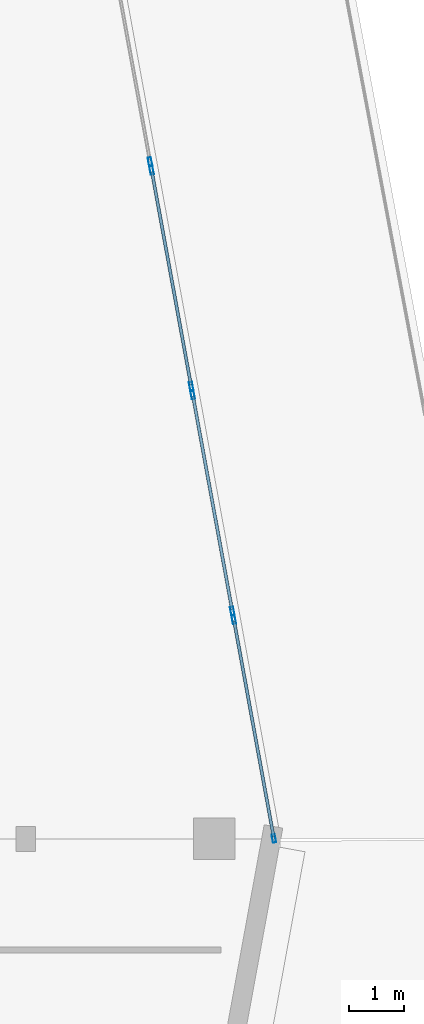
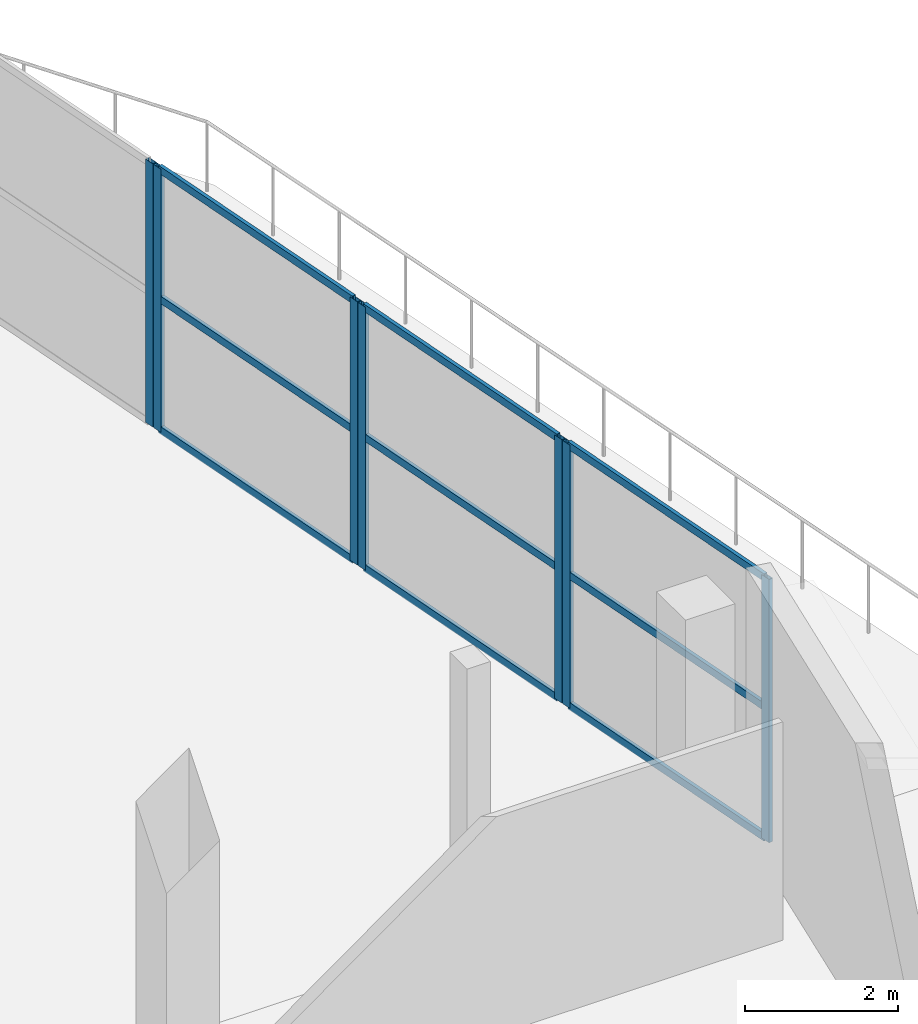
# One storey, part 54 of 107: 16 members, 4 elements without a shape of their own.
"""IFC4 building model written with IfcOpenShell, lengths in metres."""

from ifc_helpers import new_model, si_unit, direction, frame, origin, origin_2d, place, context, subcontext, project, spatial, hollow_rectangle, extrude, material, layer, layer_set, material_profile, profile_set, type_object, element, aggregate, save


model = new_model("IFC4")

# Units and contexts
model_context = context("Model", 3, precision=1e-05, world=origin(), true_north=direction((0.0, 1.0)))
body_context = subcontext(model_context, "Body", "Model", "MODEL_VIEW")
ifc_project = project(units=[si_unit("LENGTHUNIT", "METRE"), si_unit("AREAUNIT", "SQUARE_METRE"), si_unit("VOLUMEUNIT", "CUBIC_METRE"), si_unit("PLANEANGLEUNIT", "RADIAN"), si_unit("MASSUNIT", "GRAM", prefix="KILO")], contexts=[model_context])

# Site, building, storey
site_placement = place(None, origin())
site = spatial("IfcSite", under=ifc_project, at=site_placement, CompositionType="ELEMENT")
building_placement = place(site_placement, origin())
building = spatial("IfcBuilding", under=site, at=building_placement, Name="Kalgoora Escarpment Arena", CompositionType="ELEMENT")
storey_placement = place(building_placement, frame((0.0, 0.0, 5.39990234375)))
storey = spatial("IfcBuildingStorey", under=building, at=storey_placement, Name="L01", CompositionType="ELEMENT", Elevation=5.39990234375)

# Curtain wall, member
ifc_material_1 = material(Name=" Champagne anodised aluminium & double-glazed low-E", Category="aluminium")
ifc_layer_1 = layer(ifc_material_1, 0.166015625)
ifc_layer_set_1 = layer_set([ifc_layer_1], Name="CW-UNIT-14")
curtain_wall_type_1 = type_object("IfcCurtainWallType", Name="CW-UNIT-14", PredefinedType="NOTDEFINED", material=ifc_layer_set_1)
curtain_wall_1_placement = place(storey_placement, origin())
curtain_wall_1 = element("IfcCurtainWall", 1, at=curtain_wall_1_placement, inside=storey, type_object=curtain_wall_type_1, Name="L01 unitised facade curtain wall 033", PredefinedType="NOTDEFINED")
ifc_material_2 = material(Name="Anodised aluminium 6063-T6", Category="aluminium")
ifc_material_profile_1 = material_profile(ifc_material_2, hollow_rectangle(XDim=0.06005859375, YDim=0.14990234375, WallThickness=0.00341796875, at=origin_2d()))
ifc_profile_set_1 = profile_set([ifc_material_profile_1], Name="Anodised aluminium 6063-T6")
member_type_1 = type_object("IfcMemberType", Name="MEM-CW-MULL-150", PredefinedType="MULLION", material=ifc_profile_set_1)
member_1_placement = place(storey_placement, frame((177.044189453125, 76.208740234375, 0.02001953125), z_axis=(0.0, 0.0, 1.0), x_axis=(0.983670666616, 0.179977830966, 0.0)))
member_1 = element("IfcMember", 2, at=member_1_placement, type_object=member_type_1, Name="CW-14 mullion 2", PredefinedType="MULLION", context=body_context, shape_type="SweptSolid", body=[
    extrude(hollow_rectangle(XDim=0.06005859375, YDim=0.14990234375, WallThickness=0.00341796875, at=origin_2d()), origin(), (0.0, 0.0, 1.0), 4.190185546875),
])
aggregate(curtain_wall_1, [member_1])

# Curtain wall, members
ifc_material_3 = material(Name=" Champagne anodised aluminium & double-glazed low-E", Category="aluminium")
ifc_layer_2 = layer(ifc_material_3, 0.14990234375)
ifc_layer_set_2 = layer_set([ifc_layer_2], Name="CW-UNIT-15")
curtain_wall_type_2 = type_object("IfcCurtainWallType", Name="CW-UNIT-15", PredefinedType="NOTDEFINED", material=ifc_layer_set_2)
curtain_wall_2_placement = place(storey_placement, origin())
curtain_wall_2 = element("IfcCurtainWall", 3, at=curtain_wall_2_placement, inside=storey, type_object=curtain_wall_type_2, Name="L01 unitised facade curtain wall 034", PredefinedType="NOTDEFINED")
member_2_placement = place(storey_placement, frame((177.072998046875, 76.05126953125, 0.02001953125), z_axis=(0.0, 0.0, 1.0), x_axis=(0.983671388906, 0.179973883236, 0.0)))
member_2 = element("IfcMember", 4, at=member_2_placement, type_object=member_type_1, Name="CW-15 mullion 1", PredefinedType="MULLION", context=body_context, shape_type="SweptSolid", body=[
    extrude(hollow_rectangle(XDim=0.06005859375, YDim=0.14990234375, WallThickness=0.00341796875, at=origin_2d()), origin(), (0.0, 0.0, 1.0), 4.190185546875),
])
member_3_placement = place(storey_placement, frame((177.785400390625, 72.158203125, 0.02001953125), z_axis=(0.0, 0.0, 1.0), x_axis=(0.983671388906, 0.179973883236, 0.0)))
member_3 = element("IfcMember", 5, at=member_3_placement, type_object=member_type_1, Name="CW-15 mullion 2", PredefinedType="MULLION", context=body_context, shape_type="SweptSolid", body=[
    extrude(hollow_rectangle(XDim=0.06005859375, YDim=0.14990234375, WallThickness=0.00341796875, at=origin_2d()), origin(), (0.0, 0.0, 1.0), 4.190185546875),
])

ifc_material_4 = material(Name=" Champagne anodised aluminium & double-glazed low-E", Category="aluminium")
ifc_layer_3 = layer(ifc_material_4, 0.154052734375)
ifc_layer_set_3 = layer_set([ifc_layer_3], Name="CW-UNIT-16")
curtain_wall_type_3 = type_object("IfcCurtainWallType", Name="CW-UNIT-16", PredefinedType="NOTDEFINED", material=ifc_layer_set_3)
curtain_wall_3_placement = place(storey_placement, origin())
curtain_wall_3 = element("IfcCurtainWall", 6, at=curtain_wall_3_placement, inside=storey, type_object=curtain_wall_type_3, Name="L01 unitised facade curtain wall 035", PredefinedType="NOTDEFINED")
member_4_placement = place(storey_placement, frame((177.814208984375, 72.000732421875, 0.02001953125), z_axis=(0.0, 0.0, 1.0), x_axis=(0.983671388906, 0.179973883236, 0.0)))
member_4 = element("IfcMember", 7, at=member_4_placement, type_object=member_type_1, Name="CW-16 mullion 1", PredefinedType="MULLION", context=body_context, shape_type="SweptSolid", body=[
    extrude(hollow_rectangle(XDim=0.06005859375, YDim=0.14990234375, WallThickness=0.00341796875, at=origin_2d()), origin(), (0.0, 0.0, 1.0), 4.190185546875),
])
member_5_placement = place(storey_placement, frame((178.5263671875, 68.107666015625, 0.02001953125), z_axis=(0.0, 0.0, 1.0), x_axis=(0.983671388906, 0.179973883236, 0.0)))
member_5 = element("IfcMember", 8, at=member_5_placement, type_object=member_type_1, Name="CW-16 mullion 2", PredefinedType="MULLION", context=body_context, shape_type="SweptSolid", body=[
    extrude(hollow_rectangle(XDim=0.06005859375, YDim=0.14990234375, WallThickness=0.00341796875, at=origin_2d()), origin(), (0.0, 0.0, 1.0), 4.190185546875),
])

ifc_material_5 = material(Name=" Champagne anodised aluminium & double-glazed low-E", Category="aluminium")
ifc_layer_4 = layer(ifc_material_5, 0.157958984375)
ifc_layer_set_4 = layer_set([ifc_layer_4], Name="CW-UNIT-17")
curtain_wall_type_4 = type_object("IfcCurtainWallType", Name="CW-UNIT-17", PredefinedType="NOTDEFINED", material=ifc_layer_set_4)
curtain_wall_4_placement = place(storey_placement, origin())
curtain_wall_4 = element("IfcCurtainWall", 9, at=curtain_wall_4_placement, inside=storey, type_object=curtain_wall_type_4, Name="L01 unitised facade curtain wall 036", PredefinedType="NOTDEFINED")
member_6_placement = place(storey_placement, frame((178.55517578125, 67.9501953125, 0.02001953125), z_axis=(0.0, 0.0, 1.0), x_axis=(0.983666314062, 0.180001618268, 0.0)))
member_6 = element("IfcMember", 10, at=member_6_placement, type_object=member_type_1, Name="CW-17 mullion 1", PredefinedType="MULLION", context=body_context, shape_type="SweptSolid", body=[
    extrude(hollow_rectangle(XDim=0.06005859375, YDim=0.14990234375, WallThickness=0.00341796875, at=origin_2d()), origin(), (0.0, 0.0, 1.0), 4.190185546875),
])
member_7_placement = place(storey_placement, frame((179.276611328125, 64.0078125, 0.02001953125), z_axis=(0.0, 0.0, 1.0), x_axis=(0.983666314062, 0.180001618268, 0.0)))
member_7 = element("IfcMember", 11, at=member_7_placement, type_object=member_type_1, Name="CW-17 mullion 2", PredefinedType="MULLION", context=body_context, shape_type="SweptSolid", body=[
    extrude(hollow_rectangle(XDim=0.06005859375, YDim=0.14990234375, WallThickness=0.00341796875, at=origin_2d()), origin(), (0.0, 0.0, 1.0), 4.190185546875),
])

# Member
ifc_material_6 = material(Name="Anodised aluminium 6063-T6", Category="aluminium")
ifc_material_profile_2 = material_profile(ifc_material_6, hollow_rectangle(XDim=0.054931640625, YDim=0.1201171875, WallThickness=0.003173828125, at=origin_2d()))
ifc_profile_set_2 = profile_set([ifc_material_profile_2], Name="Anodised aluminium 6063-T6")
member_type_2 = type_object("IfcMemberType", Name="MEM-CW-TRAN-120", PredefinedType="USERDEFINED", material=ifc_profile_set_2)
member_8_placement = place(storey_placement, frame((177.078369140625, 76.021728515625, 0.047607421875), z_axis=(0.179949119171, -0.983675919452, 0.0), x_axis=(0.983675919452, 0.179949119171, 0.0)))
member_8 = element("IfcMember", 12, at=member_8_placement, type_object=member_type_2, Name="CW-15 transom 1.1", ObjectType="TRANSOM", PredefinedType="USERDEFINED", context=body_context, shape_type="SweptSolid", body=[
    extrude(hollow_rectangle(XDim=0.054931640625, YDim=0.1201171875, WallThickness=0.003173828125, at=origin_2d()), origin(), (0.0, 0.0, 1.0), 3.89794921875),
])

member_9_placement = place(storey_placement, frame((177.078369140625, 76.021728515625, 2.125), z_axis=(0.179949119171, -0.983675919452, 0.0), x_axis=(0.983675919452, 0.179949119171, 0.0)))
member_9 = element("IfcMember", 13, at=member_9_placement, type_object=member_type_2, Name="CW-15 transom 1.2", ObjectType="TRANSOM", PredefinedType="USERDEFINED", context=body_context, shape_type="SweptSolid", body=[
    extrude(hollow_rectangle(XDim=0.054931640625, YDim=0.1201171875, WallThickness=0.003173828125, at=origin_2d()), origin(), (0.0, 0.0, 1.0), 3.89794921875),
])

member_10_placement = place(storey_placement, frame((177.078369140625, 76.021728515625, 4.1826171875), z_axis=(0.179949119171, -0.983675919452, 0.0), x_axis=(0.983675919452, 0.179949119171, 0.0)))
member_10 = element("IfcMember", 14, at=member_10_placement, type_object=member_type_2, Name="CW-15 transom 1.3", ObjectType="TRANSOM", PredefinedType="USERDEFINED", context=body_context, shape_type="SweptSolid", body=[
    extrude(hollow_rectangle(XDim=0.054931640625, YDim=0.1201171875, WallThickness=0.003173828125, at=origin_2d()), origin(), (0.0, 0.0, 1.0), 3.89794921875),
])

aggregate(curtain_wall_2, [member_2, member_3, member_8, member_9, member_10])

member_11_placement = place(storey_placement, frame((177.819580078125, 71.97119140625, 0.047607421875), z_axis=(0.179960206889, -0.983673891051, 0.0), x_axis=(0.983673891051, 0.179960206889, 0.0)))
member_11 = element("IfcMember", 15, at=member_11_placement, type_object=member_type_2, Name="CW-16 transom 1.1", ObjectType="TRANSOM", PredefinedType="USERDEFINED", context=body_context, shape_type="SweptSolid", body=[
    extrude(hollow_rectangle(XDim=0.054931640625, YDim=0.1201171875, WallThickness=0.003173828125, at=origin_2d()), origin(), (0.0, 0.0, 1.0), 3.897705078125),
])

member_12_placement = place(storey_placement, frame((177.819580078125, 71.97119140625, 2.125), z_axis=(0.179960206889, -0.983673891051, 0.0), x_axis=(0.983673891051, 0.179960206889, 0.0)))
member_12 = element("IfcMember", 16, at=member_12_placement, type_object=member_type_2, Name="CW-16 transom 1.2", ObjectType="TRANSOM", PredefinedType="USERDEFINED", context=body_context, shape_type="SweptSolid", body=[
    extrude(hollow_rectangle(XDim=0.054931640625, YDim=0.1201171875, WallThickness=0.003173828125, at=origin_2d()), origin(), (0.0, 0.0, 1.0), 3.897705078125),
])

member_13_placement = place(storey_placement, frame((177.819580078125, 71.97119140625, 4.1826171875), z_axis=(0.179960206889, -0.983673891051, 0.0), x_axis=(0.983673891051, 0.179960206889, 0.0)))
member_13 = element("IfcMember", 17, at=member_13_placement, type_object=member_type_2, Name="CW-16 transom 1.3", ObjectType="TRANSOM", PredefinedType="USERDEFINED", context=body_context, shape_type="SweptSolid", body=[
    extrude(hollow_rectangle(XDim=0.054931640625, YDim=0.1201171875, WallThickness=0.003173828125, at=origin_2d()), origin(), (0.0, 0.0, 1.0), 3.897705078125),
])

aggregate(curtain_wall_3, [member_4, member_5, member_11, member_12, member_13])

member_14_placement = place(storey_placement, frame((178.560546875, 67.920654296875, 0.047607421875), z_axis=(0.180022720891, -0.983662452248, 0.0), x_axis=(0.983662452248, 0.180022720891, 0.0)))
member_14 = element("IfcMember", 18, at=member_14_placement, type_object=member_type_2, Name="CW-17 transom 1.1", ObjectType="TRANSOM", PredefinedType="USERDEFINED", context=body_context, shape_type="SweptSolid", body=[
    extrude(hollow_rectangle(XDim=0.054931640625, YDim=0.1201171875, WallThickness=0.003173828125, at=origin_2d()), origin(), (0.0, 0.0, 1.0), 3.94775390625),
])

member_15_placement = place(storey_placement, frame((178.560546875, 67.920654296875, 2.125), z_axis=(0.180022720891, -0.983662452248, 0.0), x_axis=(0.983662452248, 0.180022720891, 0.0)))
member_15 = element("IfcMember", 19, at=member_15_placement, type_object=member_type_2, Name="CW-17 transom 1.2", ObjectType="TRANSOM", PredefinedType="USERDEFINED", context=body_context, shape_type="SweptSolid", body=[
    extrude(hollow_rectangle(XDim=0.054931640625, YDim=0.1201171875, WallThickness=0.003173828125, at=origin_2d()), origin(), (0.0, 0.0, 1.0), 3.94775390625),
])

member_16_placement = place(storey_placement, frame((178.560546875, 67.920654296875, 4.1826171875), z_axis=(0.180022720891, -0.983662452248, 0.0), x_axis=(0.983662452248, 0.180022720891, 0.0)))
member_16 = element("IfcMember", 20, at=member_16_placement, type_object=member_type_2, Name="CW-17 transom 1.3", ObjectType="TRANSOM", PredefinedType="USERDEFINED", context=body_context, shape_type="SweptSolid", body=[
    extrude(hollow_rectangle(XDim=0.054931640625, YDim=0.1201171875, WallThickness=0.003173828125, at=origin_2d()), origin(), (0.0, 0.0, 1.0), 3.94775390625),
])

aggregate(curtain_wall_4, [member_6, member_7, member_14, member_15, member_16])

save(model, "model.ifc")
